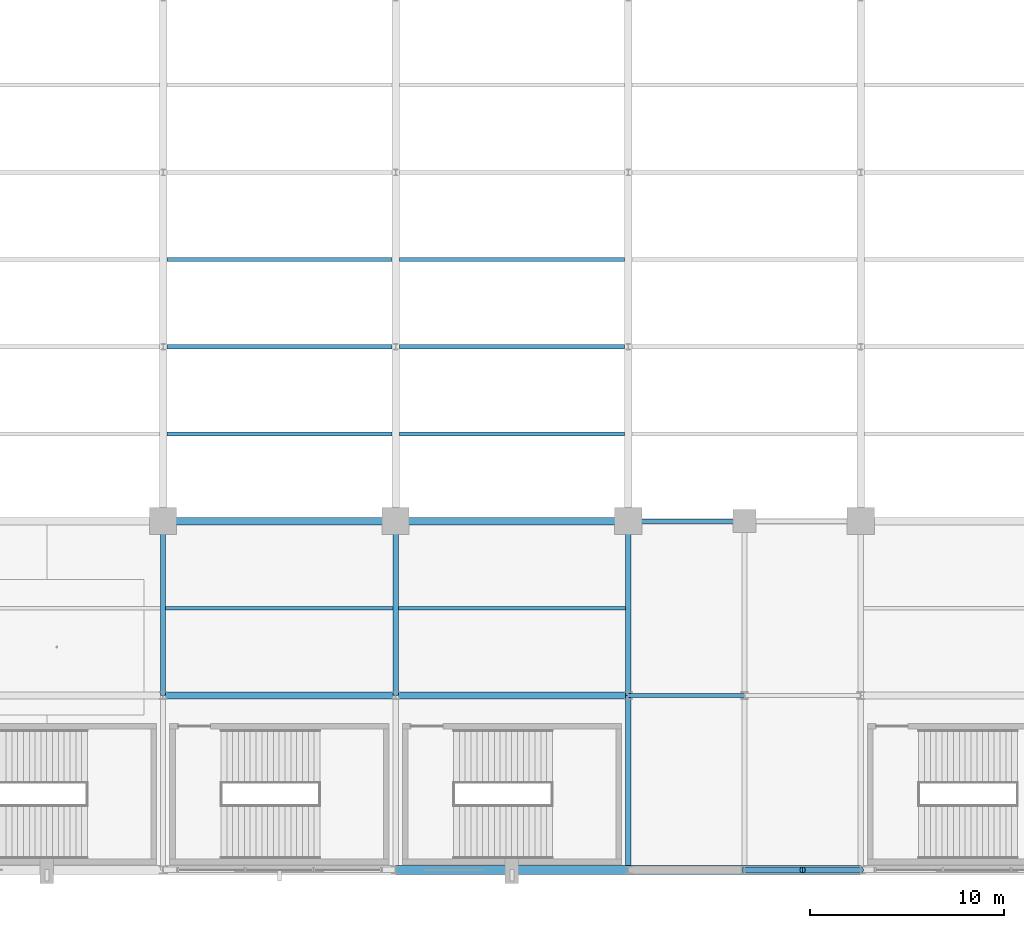
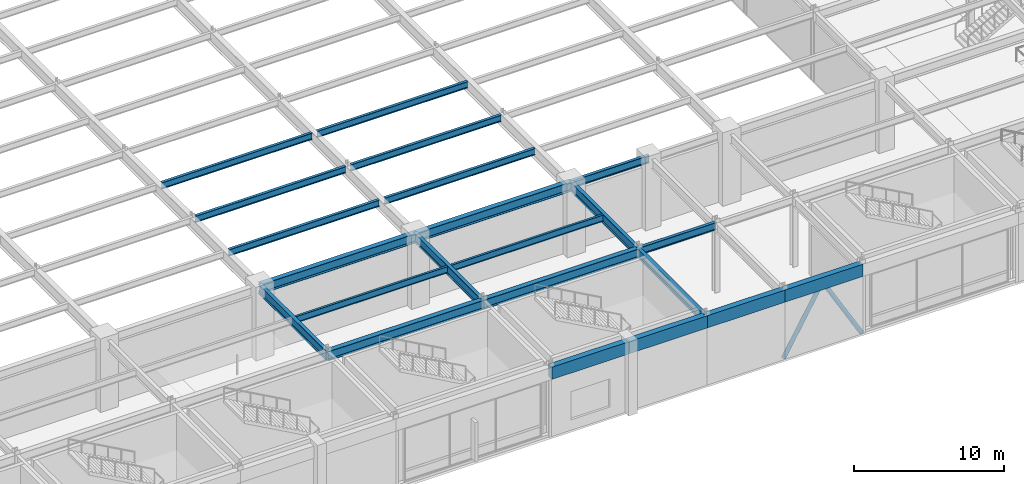
# One storey, part 23 of 105: 22 beams, 2 members.
"""IFC4 building model written with IfcOpenShell, lengths in metres."""

from ifc_helpers import new_model, si_unit, direction, frame, origin, origin_2d, place, context, subcontext, project, spatial, rectangle, hollow_circle, i_section, extrude, material, material_profile, profile_set, type_object, element, save


model = new_model("IFC4")

# Units and contexts
model_context = context("Model", 3, precision=1e-05, world=origin(), true_north=direction((0.0, 1.0)))
body_context = subcontext(model_context, "Body", "Model", "MODEL_VIEW")
ifc_project = project(units=[si_unit("LENGTHUNIT", "METRE"), si_unit("AREAUNIT", "SQUARE_METRE"), si_unit("VOLUMEUNIT", "CUBIC_METRE"), si_unit("PLANEANGLEUNIT", "RADIAN"), si_unit("MASSUNIT", "GRAM", prefix="KILO")], contexts=[model_context])

# Site, building, storey
site_placement = place(None, origin())
site = spatial("IfcSite", under=ifc_project, at=site_placement, CompositionType="ELEMENT")
building_placement = place(site_placement, origin())
building = spatial("IfcBuilding", under=site, at=building_placement, Name="Kaldorvane Square Convention Centre", CompositionType="ELEMENT")
storey_placement = place(building_placement, frame((0.0, 0.0, 6.0)))
storey = spatial("IfcBuildingStorey", under=building, at=storey_placement, Name="L01", CompositionType="ELEMENT", Elevation=6.0)

# Beams
ifc_material_1 = material(Name="Steel ASTM A992 Gr. 50", Category="steel")
ifc_material_profile_1 = material_profile(ifc_material_1, i_section(OverallWidth=0.2303009033203125, OverallDepth=0.61749267578125, WebThickness=0.0131072998046875, FlangeThickness=0.0222015380859375, FilletRadius=0.0126953125, at=origin_2d()), Name="W24X94")
ifc_profile_set_1 = profile_set([ifc_material_profile_1], Name="Steel ASTM A992 Gr. 50")
beam_type_1 = type_object("IfcBeamType", Name="BM-GR-W24X94", PredefinedType="BEAM", material=ifc_profile_set_1)
for number, where, z_axis, x_axis, name in (
    (1, (90.0, 9.0, 5.3672943115234375), (1.0, 0.0, 0.0), (0.0, 1.0, 0.0), "Primary Girder (L01)"),
    (2, (90.0, 18.0, 5.3672943115234375), (1.0, 0.0, 0.0), (0.0, 1.0, 0.0), "Primary Girder (L01)"),
):
    element("IfcBeam", number, at=place(storey_placement, frame(where, z_axis=z_axis, x_axis=x_axis)), inside=storey, type_object=beam_type_1, Name=name, PredefinedType="BEAM", context=body_context, shape_type="SweptSolid", body=[
        extrude(i_section(OverallWidth=0.2303009033203125, OverallDepth=0.61749267578125, WebThickness=0.0131072998046875, FlangeThickness=0.0222015380859375, FilletRadius=0.0126953125, at=origin_2d()), origin(), (0.0, 0.0, 1.0), 6.0),
    ])
ifc_material_profile_2 = material_profile(ifc_material_1, i_section(OverallWidth=0.2666015625, OverallDepth=0.762298583984375, WebThickness=0.014404296875, FlangeThickness=0.0216064453125, FilletRadius=0.0164947509765625, at=origin_2d()), Name="W30X116")
ifc_profile_set_2 = profile_set([ifc_material_profile_2], Name="Steel ASTM A992 Gr. 50")
beam_type_2 = type_object("IfcBeamType", Name="BM-GR-W30X116", PredefinedType="BEAM", material=ifc_profile_set_2)
for number, where, z_axis, x_axis, name in (
    (3, (66.0, 9.0, 5.2949066162109375), (0.0, 1.0, 0.0), (-1.0, 0.0, 0.0), "Transverse Girder (L01)"),
    (4, (78.0, 9.0, 5.2949066162109375), (0.0, 1.0, 0.0), (-1.0, 0.0, 0.0), "Transverse Girder (L01)"),
    (5, (90.0, 0.0, 5.2949066162109375), (0.0, 1.0, 0.0), (-1.0, 0.0, 0.0), "Transverse Girder (L01)"),
    (6, (90.0, 9.0, 5.2949066162109375), (0.0, 1.0, 0.0), (-1.0, 0.0, 0.0), "Transverse Girder (L01)"),
):
    element("IfcBeam", number, at=place(storey_placement, frame(where, z_axis=z_axis, x_axis=x_axis)), inside=storey, type_object=beam_type_2, Name=name, PredefinedType="BEAM", context=body_context, shape_type="SweptSolid", body=[
        extrude(i_section(OverallWidth=0.2666015625, OverallDepth=0.762298583984375, WebThickness=0.014404296875, FlangeThickness=0.0216064453125, FilletRadius=0.0164947509765625, at=origin_2d()), origin(), (0.0, 0.0, 1.0), 9.0),
    ])
ifc_material_profile_3 = material_profile(ifc_material_1, i_section(OverallWidth=0.380706787109375, OverallDepth=0.773193359375, WebThickness=0.0166015625, FlangeThickness=0.027099609375, FilletRadius=0.0164947509765625, at=origin_2d()), Name="W30X173")
ifc_profile_set_3 = profile_set([ifc_material_profile_3], Name="Steel ASTM A992 Gr. 50")
beam_type_3 = type_object("IfcBeamType", Name="BM-GR-W30X173", PredefinedType="BEAM", material=ifc_profile_set_3)
for number, where, z_axis, x_axis, name in (
    (7, (66.0, 9.0, 5.289398193359375), (1.0, 0.0, 0.0), (0.0, 1.0, 0.0), "Primary Girder (L01)"),
    (8, (78.0, 9.0, 5.289398193359375), (1.0, 0.0, 0.0), (0.0, 1.0, 0.0), "Primary Girder (L01)"),
    (9, (66.0, 18.0, 5.289398193359375), (1.0, 0.0, 0.0), (0.0, 1.0, 0.0), "Primary Girder (L01)"),
    (10, (78.0, 18.0, 5.289398193359375), (1.0, 0.0, 0.0), (0.0, 1.0, 0.0), "Primary Girder (L01)"),
):
    element("IfcBeam", number, at=place(storey_placement, frame(where, z_axis=z_axis, x_axis=x_axis)), inside=storey, type_object=beam_type_3, Name=name, PredefinedType="BEAM", context=body_context, shape_type="SweptSolid", body=[
        extrude(i_section(OverallWidth=0.380706787109375, OverallDepth=0.773193359375, WebThickness=0.0166015625, FlangeThickness=0.027099609375, FilletRadius=0.0164947509765625, at=origin_2d()), origin(), (0.0, 0.0, 1.0), 12.0),
    ])
ifc_material_profile_4 = material_profile(ifc_material_1, i_section(OverallWidth=0.1658935546875, OverallDepth=0.5290985107421875, WebThickness=0.00970458984375, FlangeThickness=0.0135955810546875, FilletRadius=0.0126953125, at=origin_2d()), Name="W21X50")
ifc_profile_set_4 = profile_set([ifc_material_profile_4], Name="Steel ASTM A992 Gr. 50")
beam_type_4 = type_object("IfcBeamType", Name="BM-JS-W21X50", PredefinedType="JOIST", material=ifc_profile_set_4)
for number, where, z_axis, x_axis, name in (
    (11, (66.13330078125, 13.5, 5.4114990234375), (1.0, 0.0, 0.0), (0.0, 1.0, 0.0), "Secondary Floor Joist (L01)"),
    (12, (78.13330078125, 13.5, 5.4114990234375), (1.0, 0.0, 0.0), (0.0, 1.0, 0.0), "Secondary Floor Joist (L01)"),
):
    element("IfcBeam", number, at=place(storey_placement, frame(where, z_axis=z_axis, x_axis=x_axis)), inside=storey, type_object=beam_type_4, Name=name, PredefinedType="JOIST", context=body_context, shape_type="SweptSolid", body=[
        extrude(i_section(OverallWidth=0.1658935546875, OverallDepth=0.5290985107421875, WebThickness=0.00970458984375, FlangeThickness=0.0135955810546875, FilletRadius=0.0126953125, at=origin_2d()), origin(), (0.0, 0.0, 1.0), 11.7333984375),
    ])
ifc_material_profile_5 = material_profile(ifc_material_1, i_section(OverallWidth=0.2100982666015625, OverallDepth=0.5366973876953125, WebThickness=0.010894775390625, FlangeThickness=0.01739501953125, FilletRadius=0.0126953125, at=origin_2d()), Name="W21X68")
ifc_profile_set_5 = profile_set([ifc_material_profile_5], Name="Steel ASTM A992 Gr. 50")
beam_type_5 = type_object("IfcBeamType", Name="BM-JS-W21X68", PredefinedType="JOIST", material=ifc_profile_set_5)
for number, where, z_axis, x_axis, name in (
    (13, (66.20100402832031, 22.5, 5.4076995849609375), (1.0, 0.0, 0.0), (0.0, 1.0, 0.0), "Hall Composite Floor Joist (L01)"),
    (14, (66.20100402832031, 27.0, 5.4076995849609375), (1.0, 0.0, 0.0), (0.0, 1.0, 0.0), "Hall Composite Floor Joist (L01)"),
    (15, (66.20100402832031, 31.5, 5.4076995849609375), (1.0, 0.0, 0.0), (0.0, 1.0, 0.0), "Hall Composite Floor Joist (L01)"),
    (16, (78.20100402832031, 22.5, 5.4076995849609375), (1.0, 0.0, 0.0), (0.0, 1.0, 0.0), "Hall Composite Floor Joist (L01)"),
    (17, (78.20100402832031, 27.0, 5.4076995849609375), (1.0, 0.0, 0.0), (0.0, 1.0, 0.0), "Hall Composite Floor Joist (L01)"),
    (18, (78.20100402832031, 31.5, 5.4076995849609375), (1.0, 0.0, 0.0), (0.0, 1.0, 0.0), "Hall Composite Floor Joist (L01)"),
):
    element("IfcBeam", number, at=place(storey_placement, frame(where, z_axis=z_axis, x_axis=x_axis)), inside=storey, type_object=beam_type_5, Name=name, PredefinedType="JOIST", context=body_context, shape_type="SweptSolid", body=[
        extrude(i_section(OverallWidth=0.2100982666015625, OverallDepth=0.5366973876953125, WebThickness=0.010894775390625, FlangeThickness=0.01739501953125, FilletRadius=0.0126953125, at=origin_2d()), origin(), (0.0, 0.0, 1.0), 11.597991943359375),
    ])
ifc_material_2 = material(Name="Concrete f'c = 42 MPa (Normalweight)", Category="concrete")
ifc_material_profile_6 = material_profile(ifc_material_2, rectangle(XDim=0.4499969482421875, YDim=1.0, at=origin_2d()), Name="RCSP1000X450")
ifc_profile_set_6 = profile_set([ifc_material_profile_6], Name="Concrete f'c = 42 MPa (Normalweight)")
beam_type_6 = type_object("IfcBeamType", Name="BM-SP-RC1000", PredefinedType="SPANDREL", material=ifc_profile_set_6)
for number, where, z_axis, x_axis, name in (
    (19, (78.0, 0.0, 5.175994873046875), (1.0, 0.0, 0.0), (0.0, 1.0, 0.0), "Perimeter Spandrel (L01)"),
    (20, (84.0, 0.0, 5.175994873046875), (1.0, 0.0, 0.0), (0.0, 1.0, 0.0), "Perimeter Spandrel (L01)"),
    (21, (90.0, 0.0, 5.175994873046875), (1.0, 0.0, 0.0), (0.0, 1.0, 0.0), "Perimeter Spandrel (L01)"),
    (22, (96.0, 0.0, 5.175994873046875), (1.0, 0.0, 0.0), (0.0, 1.0, 0.0), "Perimeter Spandrel (L01)"),
):
    element("IfcBeam", number, at=place(storey_placement, frame(where, z_axis=z_axis, x_axis=x_axis)), inside=storey, type_object=beam_type_6, Name=name, PredefinedType="SPANDREL", context=body_context, shape_type="SweptSolid", body=[
        extrude(rectangle(XDim=0.4499969482421875, YDim=1.0, at=origin_2d()), origin(), (0.0, 0.0, 1.0), 6.0),
    ])

# Members
ifc_material_3 = material(Name="Steel ASTM A500 Gr. C", Category="steel")
ifc_material_profile_7 = material_profile(ifc_material_3, hollow_circle(Radius=0.161956787109375, WallThickness=0.0117950439453125, at=origin_2d()), Name="HSS12.750X0.500")
ifc_profile_set_7 = profile_set([ifc_material_profile_7], Name="Steel ASTM A500 Gr. C")
member_type = type_object("IfcMemberType", Name="MB-BR-CHS12", PredefinedType="BRACE", material=ifc_profile_set_7)
for number, where, z_axis, x_axis, name in (
    (23, (96.0, 0.0, 0.0), (0.501458279141, 0.0, 0.865181827294), (0.0, 1.0, 0.0), "Seismic Chevron Brace Y0-B2A (L01)"),
    (24, (102.0, 0.0, 0.0), (-0.501458279141, 0.0, 0.865181827294), (0.0, -1.0, 0.0), "Seismic Chevron Brace Y0-B2B (L01)"),
):
    element("IfcMember", number, at=place(storey_placement, frame(where, z_axis=z_axis, x_axis=x_axis)), inside=storey, type_object=member_type, Name=name, PredefinedType="BRACE", context=body_context, shape_type="SweptSolid", body=[
        extrude(hollow_circle(Radius=0.161956787109375, WallThickness=0.0117950439453125, at=origin_2d()), origin(), (0.0, 0.0, 1.0), 5.9825439453125),
    ])

save(model, "model.ifc")
